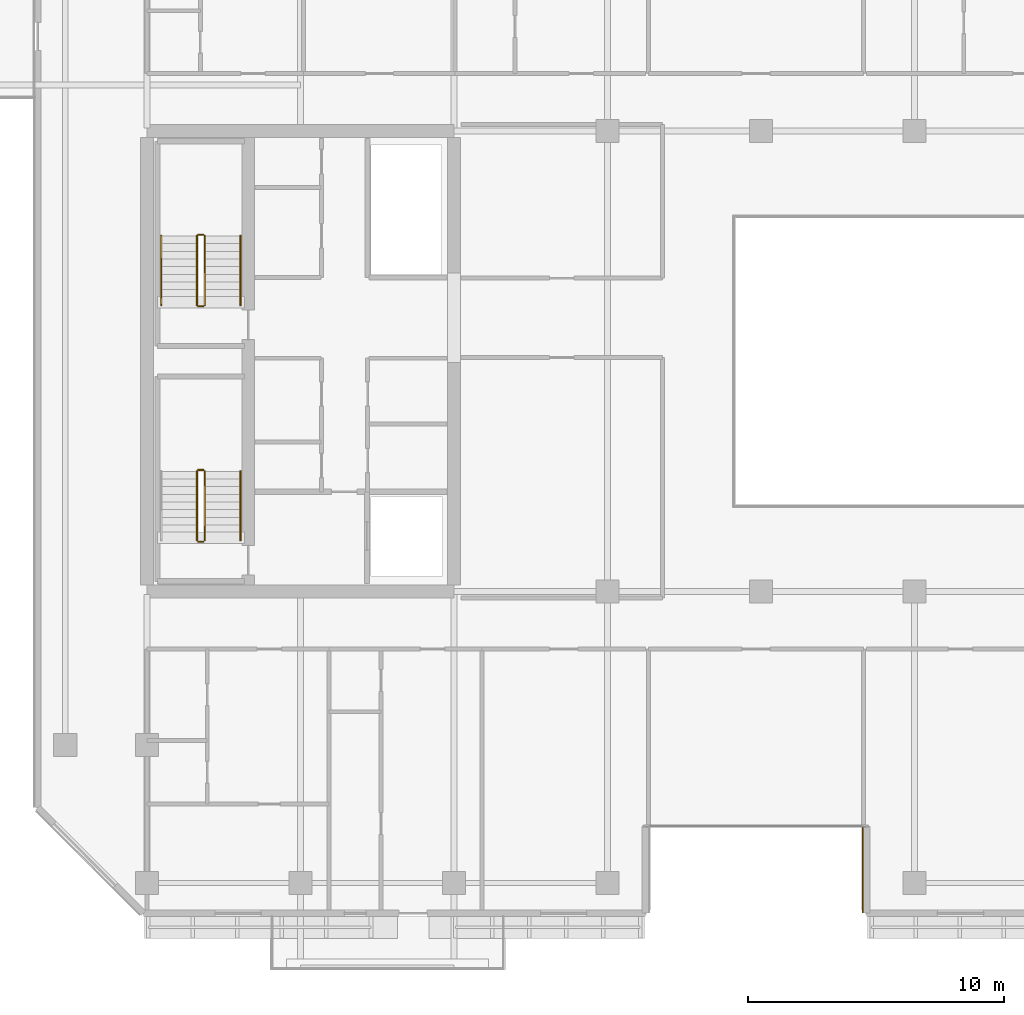
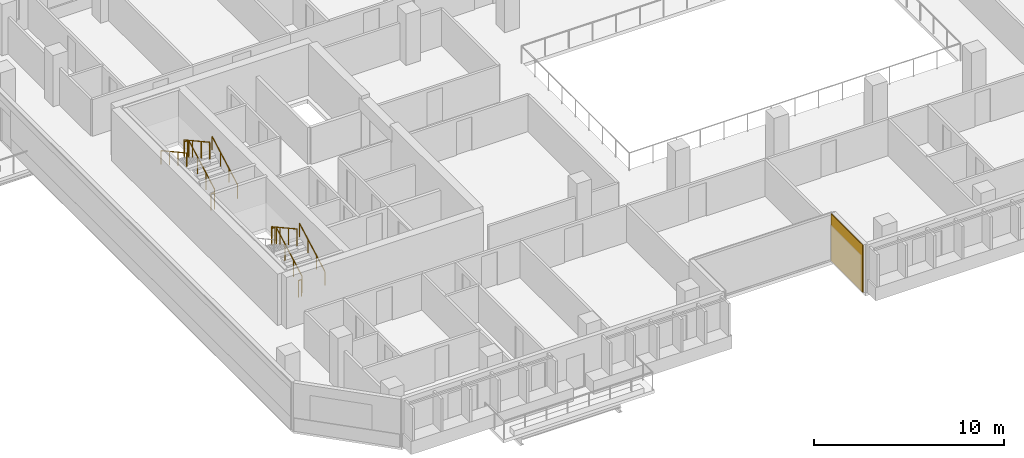
# One storey, part 17 of 21: 11 railings, 1 covering.
"""IFC4 building model written with IfcOpenShell, lengths in metres."""

import ifcopenshell
import ifcopenshell.guid

model = None  # the IFC model being written
_history = None  # IfcOwnerHistory: only IFC2X3 demands one
_inside = {}  # id of a spatial element -> (the spatial element, [elements in it])
_under = {}  # id of a project, library or spatial element -> (it, [spatial elements below it])
_declared = {}  # id of a project -> (the project, [libraries it declares])
_typed = {}  # id of a type object -> (the type object, [elements of that type])
_made_of = {}  # id of a material, layer set ... -> (it, [elements and type objects made of it])


def new_model(schema):
    """Start an empty IFC model of exactly this schema.

    Asked for "IFC4X3", IfcOpenShell would pick the latest addendum, in which some entities
    have other attributes; the version numbers below select the first issue.
    IFC2X3 requires an IfcOwnerHistory on every rooted entity: one is made here for all.
    """
    global model, _history
    if schema == "IFC4X3":
        model = ifcopenshell.file(schema_version=(4, 3, 0, 0))
    else:
        model = ifcopenshell.file(schema=schema)
    _inside.clear()
    _under.clear()
    _declared.clear()
    _typed.clear()
    _made_of.clear()
    _history = None
    if model.schema == "IFC2X3":
        org = make("IfcOrganization", Name="unknown")
        user = make(
            "IfcPersonAndOrganization",
            ThePerson=make("IfcPerson", FamilyName="unknown"),
            TheOrganization=org,
        )
        app = make(
            "IfcApplication",
            ApplicationDeveloper=org,
            Version="unknown",
            ApplicationFullName="unknown",
            ApplicationIdentifier="unknown",
        )
        _history = make(
            "IfcOwnerHistory",
            OwningUser=user,
            OwningApplication=app,
            ChangeAction="ADDED",
            CreationDate=0,
        )
    return model


def make(cls, **values):
    """One entity of the class cls with the attributes given. An attribute that is None is left unset."""
    return model.create_entity(
        cls, **{name: value for name, value in values.items() if value is not None}
    )


def rooted(cls, **values):
    """An entity with a GlobalId (a new one), such as an element, a storey or a relation."""
    return make(cls, GlobalId=ifcopenshell.guid.new(), OwnerHistory=_history, **values)


def si_unit(unit_type, name, prefix=None):
    """IfcSIUnit, for example si_unit("LENGTHUNIT", "METRE", prefix="MILLI")."""
    return make("IfcSIUnit", UnitType=unit_type, Prefix=prefix, Name=name)


def assignment(units):
    """IfcUnitAssignment: the units of a project."""
    return None if units is None else make("IfcUnitAssignment", Units=units)


def point(xyz):
    """IfcCartesianPoint."""
    return None if xyz is None else make("IfcCartesianPoint", Coordinates=xyz)


def direction(xyz):
    """IfcDirection."""
    return None if xyz is None else make("IfcDirection", DirectionRatios=xyz)


def frame(location, z_axis=None, x_axis=None):
    """IfcAxis2Placement3D, a coordinate frame: its origin and axes. An axis left out is left unset."""
    return make(
        "IfcAxis2Placement3D",
        Location=point(location),
        Axis=direction(z_axis),
        RefDirection=direction(x_axis),
    )


def frame_2d(location, x_axis=None):
    """IfcAxis2Placement2D, a coordinate frame in the plane: its origin and x axis."""
    return make(
        "IfcAxis2Placement2D", Location=point(location), RefDirection=direction(x_axis)
    )


def origin():
    """The frame at (0, 0, 0) with its axes left unset."""
    return frame((0.0, 0.0, 0.0))


def origin_2d():
    """The frame at (0, 0) in the plane with its x axis left unset."""
    return frame_2d((0.0, 0.0))


def place(relative_to, where):
    """IfcLocalPlacement: puts the frame where relative to a parent placement (None: the world)."""
    return make(
        "IfcLocalPlacement", PlacementRelTo=relative_to, RelativePlacement=where
    )


def context(
    kind, dimensions, precision=None, world=None, true_north=None, identifier=None
):
    """IfcGeometricRepresentationContext, for example the 3D "Model" context."""
    return make(
        "IfcGeometricRepresentationContext",
        ContextIdentifier=identifier,
        ContextType=kind,
        CoordinateSpaceDimension=dimensions,
        Precision=precision,
        WorldCoordinateSystem=world,
        TrueNorth=true_north,
    )


def subcontext(parent, identifier, kind, view, scale=None):
    """IfcGeometricRepresentationSubContext, for example "Body" below "Model"."""
    return make(
        "IfcGeometricRepresentationSubContext",
        ContextIdentifier=identifier,
        ContextType=kind,
        ParentContext=parent,
        TargetScale=scale,
        TargetView=view,
    )


def project(units=None, contexts=None):
    """IfcProject with its units and contexts."""
    return rooted(
        "IfcProject",
        Name="project",
        RepresentationContexts=contexts,
        UnitsInContext=assignment(units),
    )


def spatial(cls, under=None, at=None, **own):
    """A site, building, storey or space (cls), placed at a placement, below another one or the project."""
    s = rooted(cls, ObjectPlacement=at, **own)
    if under is not None:
        _under.setdefault(under.id(), (under, []))[1].append(s)
    return s


def profile(cls, at=None, kind="AREA", **sizes):
    """A parametric profile (cls). Its sizes go by their IFC names, for example OverallWidth=200.0."""
    return make(cls, ProfileType=kind, Position=at, **sizes)


def rectangle(**sizes):
    """IfcRectangleProfileDef."""
    return profile("IfcRectangleProfileDef", **sizes)


def extrude(swept, where, along, depth):
    """IfcExtrudedAreaSolid: the profile swept, set in the frame where, extruded along a direction by depth."""
    return make(
        "IfcExtrudedAreaSolid",
        SweptArea=swept,
        Position=where,
        ExtrudedDirection=direction(along),
        Depth=depth,
    )


def shape(context_of_items, identifier, shape_type, items):
    """IfcShapeRepresentation: the items that make up one representation, for example the "Body"."""
    return make(
        "IfcShapeRepresentation",
        ContextOfItems=context_of_items,
        RepresentationIdentifier=identifier,
        RepresentationType=shape_type,
        Items=items,
    )


def material(Name=None, Category=None):
    """IfcMaterial."""
    return make("IfcMaterial", Name=Name, Category=Category)


def layer(
    of_material, thickness, ventilated=None, Name=None, Category=None, Priority=None
):
    """IfcMaterialLayer: one layer of a wall or slab, of a material (None: an air gap)."""
    return make(
        "IfcMaterialLayer",
        Material=of_material,
        LayerThickness=thickness,
        IsVentilated=ventilated,
        Name=Name,
        Category=Category,
        Priority=Priority,
    )


def layer_set(layers, Name=None):
    """IfcMaterialLayerSet."""
    return make("IfcMaterialLayerSet", MaterialLayers=layers, LayerSetName=Name)


def made_of(thing, what):
    """Note that an element or type object is made of a material, layer set ...; save() writes the relation."""
    if what is not None:
        _made_of.setdefault(what.id(), (what, []))[1].append(thing)
    return thing


def type_object(cls, material=None, **own):
    """A type object (cls), such as IfcWallType, which elements share."""
    return made_of(rooted(cls, **own), material)


def element(
    cls,
    number,
    at=None,
    inside=None,
    cuts=None,
    type_object=None,
    material=None,
    context=None,
    identifier="Body",
    shape_type=None,
    held_by="IfcProductDefinitionShape",
    body=None,
    shapes=None,
    **own,
):
    """One element of the class cls, such as IfcWall. Its Tag is "e" and its number.

    at: its placement. inside: the storey or other place that contains it. cuts: it is an
    opening in that element (IfcRelVoidsElement). A single representation is given by context,
    identifier, shape_type and body (its items); several are given by shapes. held_by: the class
    of the entity that holds the representations. save() writes the other relations.
    """
    e = rooted(cls, Tag="e%d" % number, ObjectPlacement=at, **own)
    if body is not None:
        shapes = [shape(context, identifier, shape_type, body)]
    if shapes is not None:
        e.Representation = make(held_by, Representations=shapes)
    if inside is not None:
        _inside.setdefault(inside.id(), (inside, []))[1].append(e)
    if cuts is not None:
        rooted(
            "IfcRelVoidsElement", RelatingBuildingElement=cuts, RelatedOpeningElement=e
        )
    if type_object is not None:
        _typed.setdefault(type_object.id(), (type_object, []))[1].append(e)
    return made_of(e, material)


def aggregate(whole, parts):
    """IfcRelAggregates: a whole, such as a stair, and the parts it consists of."""
    return rooted("IfcRelAggregates", RelatingObject=whole, RelatedObjects=parts)


def save(model, path):
    """Write the relations noted so far, then the file.

    IfcRelAggregates (storeys below a building ...), IfcRelContainedInSpatialStructure (elements
    in a storey), IfcRelDefinesByType, IfcRelAssociatesMaterial and IfcRelDeclares: one each for
    every whole, place, type object, material and project.
    """
    for whole, parts in _under.values():
        aggregate(whole, parts)
    for where, things in _inside.values():
        rooted(
            "IfcRelContainedInSpatialStructure",
            RelatedElements=things,
            RelatingStructure=where,
        )
    for kind, things in _typed.values():
        rooted("IfcRelDefinesByType", RelatedObjects=things, RelatingType=kind)
    for what, things in _made_of.values():
        rooted("IfcRelAssociatesMaterial", RelatedObjects=things, RelatingMaterial=what)
    for by, libraries in _declared.values():
        rooted("IfcRelDeclares", RelatingContext=by, RelatedDefinitions=libraries)
    model.write(path)


model = new_model("IFC4")

# Units and contexts
model_context = context("Model", 3, precision=1e-05, world=origin(), true_north=direction((0.0, 1.0)))
body_context = subcontext(model_context, "Body", "Model", "MODEL_VIEW")
ifc_project = project(units=[si_unit("LENGTHUNIT", "METRE"), si_unit("AREAUNIT", "SQUARE_METRE"), si_unit("VOLUMEUNIT", "CUBIC_METRE"), si_unit("PLANEANGLEUNIT", "RADIAN"), si_unit("MASSUNIT", "GRAM", prefix="KILO")], contexts=[model_context])

# Site, building, storey
site_placement = place(None, origin())
site = spatial("IfcSite", under=ifc_project, at=site_placement, CompositionType="ELEMENT")
building_placement = place(site_placement, origin())
building = spatial("IfcBuilding", under=site, at=building_placement, Name="Tanjung Sevakor Pilgrim Tower", CompositionType="ELEMENT")
storey_placement = place(building_placement, frame((0.0, 0.0, 145.199951171875)))
storey = spatial("IfcBuildingStorey", under=building, at=storey_placement, Name="L40", CompositionType="ELEMENT", Elevation=145.199951171875)

# Covering
ifc_material_1 = material(Name="Reconstructed Limestone Cladding", Category="masonry")
ifc_layer = layer(ifc_material_1, 0.044921875)
ifc_layer_set = layer_set([ifc_layer], Name="COV-CLAD-LIMESTONE")
covering_type = type_object("IfcCoveringType", Name="COV-CLAD-LIMESTONE", PredefinedType="CLADDING", material=ifc_layer_set)
covering_placement = place(storey_placement, frame((51.9775390625, 13.72509765625, 0.02001953125), z_axis=(0.0, 0.0, 1.0), x_axis=(0.0, -1.0, 0.0)))
element("IfcCovering", 1, at=covering_placement, inside=storey, type_object=covering_type, Name="L40 Warm Limestone Wall Cladding EW-L40-MAIN-4", PredefinedType="CLADDING", context=body_context, shape_type="SweptSolid", body=[
    extrude(rectangle(XDim=3.360107421875, YDim=0.044921875, at=origin_2d()), origin(), (0.0, 0.0, 1.0), 3.0400390625),
])

# Railings
ifc_material_2 = material(Name="Steel S355J2", Category="steel")
railing_type_1 = type_object("IfcRailingType", Name="RL-STAIR-GUARD", PredefinedType="GUARDRAIL", material=ifc_material_2)
railing_1_placement = place(storey_placement, frame((26.25, 26.60009765625, 0.1650390625)))
element("IfcRailing", 2, at=railing_1_placement, inside=storey, type_object=railing_type_1, Name="L40 TS-W1 stair guard 1", PredefinedType="GUARDRAIL", context=body_context, shape_type="SweptSolid", body=[
    extrude(rectangle(XDim=0.0479, YDim=0.0479), frame((0.0, 0.0, 1.076171875), z_axis=(0.0, 0.876197507361, 0.481952205197), x_axis=(-1.0, 0.0, 0.0)), (0.0, 0.0, 1.0), 3.08154296875),
    extrude(rectangle(XDim=0.042, YDim=0.042), origin(), (0.0, 0.0, 1.0), 1.052001953125),
    extrude(rectangle(XDim=0.042, YDim=0.042), frame((0.0, 0.89990234375, 0.4951171875)), (0.0, 0.0, 1.0), 1.052001953125),
    extrude(rectangle(XDim=0.042, YDim=0.042), frame((0.0, 1.800048828125, 0.989990234375)), (0.0, 0.0, 1.0), 1.052001953125),
    extrude(rectangle(XDim=0.042, YDim=0.042), frame((0.0, 2.699951171875, 1.485107421875)), (0.0, 0.0, 1.0), 1.052001953125),
])
railing_2_placement = place(storey_placement, frame((26.199951171875, 29.35009765625, 1.650146484375)))
element("IfcRailing", 3, at=railing_2_placement, inside=storey, type_object=railing_type_1, Name="L40 TS-W1 stair guard 2", PredefinedType="GUARDRAIL", context=body_context, shape_type="SweptSolid", body=[
    extrude(rectangle(XDim=0.0479, YDim=0.0479), frame((0.0, 0.0, 1.076171875), z_axis=(-1.0, 0.0, 0.0), x_axis=(0.0, -1.0, 0.0)), (0.0, 0.0, 1.0), 0.199951171875),
    extrude(rectangle(XDim=0.042, YDim=0.042), origin(), (0.0, 0.0, 1.0), 1.052001953125),
    extrude(rectangle(XDim=0.042, YDim=0.042), frame((-0.199951171875, 0.0, 0.0)), (0.0, 0.0, 1.0), 1.052001953125),
])
railing_3_placement = place(storey_placement, frame((25.949951171875, 29.300048828125, 1.81494140625)))
element("IfcRailing", 4, at=railing_3_placement, inside=storey, type_object=railing_type_1, Name="L40 TS-W1 stair guard 3", PredefinedType="GUARDRAIL", context=body_context, shape_type="SweptSolid", body=[
    extrude(rectangle(XDim=0.0479, YDim=0.0479), frame((0.0, 0.0, 1.076171875), z_axis=(0.0, -0.876197507361, 0.481952205197), x_axis=(1.0, 0.0, 0.0)), (0.0, 0.0, 1.0), 3.08154296875),
    extrude(rectangle(XDim=0.042, YDim=0.042), origin(), (0.0, 0.0, 1.0), 1.052001953125),
    extrude(rectangle(XDim=0.042, YDim=0.042), frame((0.0, -0.89990234375, 0.4951171875)), (0.0, 0.0, 1.0), 1.052001953125),
    extrude(rectangle(XDim=0.042, YDim=0.042), frame((0.0, -1.800048828125, 0.989990234375)), (0.0, 0.0, 1.0), 1.052001953125),
    extrude(rectangle(XDim=0.042, YDim=0.042), frame((0.0, -2.699951171875, 1.485107421875)), (0.0, 0.0, 1.0), 1.052001953125),
])
railing_4_placement = place(storey_placement, frame((26.199951171875, 26.550048828125, 0.0)))
element("IfcRailing", 5, at=railing_4_placement, inside=storey, type_object=railing_type_1, Name="L40 TS-W1 stair guard 4", PredefinedType="GUARDRAIL", context=body_context, shape_type="SweptSolid", body=[
    extrude(rectangle(XDim=0.0479, YDim=0.0479), frame((0.0, 0.0, 1.076171875), z_axis=(-1.0, 0.0, 0.0), x_axis=(0.0, -1.0, 0.0)), (0.0, 0.0, 1.0), 0.199951171875),
    extrude(rectangle(XDim=0.042, YDim=0.042), origin(), (0.0, 0.0, 1.0), 1.052001953125),
    extrude(rectangle(XDim=0.042, YDim=0.042), frame((-0.199951171875, 0.0, 0.0)), (0.0, 0.0, 1.0), 1.052001953125),
])
railing_5_placement = place(storey_placement, frame((26.25, 35.800048828125, 0.1650390625)))
element("IfcRailing", 6, at=railing_5_placement, inside=storey, type_object=railing_type_1, Name="L40 TS-W2 stair guard 1", PredefinedType="GUARDRAIL", context=body_context, shape_type="SweptSolid", body=[
    extrude(rectangle(XDim=0.0479, YDim=0.0479), frame((0.0, 0.0, 1.076171875), z_axis=(0.0, 0.876197507361, 0.481952205197), x_axis=(-1.0, 0.0, 0.0)), (0.0, 0.0, 1.0), 3.08154296875),
    extrude(rectangle(XDim=0.042, YDim=0.042), origin(), (0.0, 0.0, 1.0), 1.052001953125),
    extrude(rectangle(XDim=0.042, YDim=0.042), frame((0.0, 0.89990234375, 0.4951171875)), (0.0, 0.0, 1.0), 1.052001953125),
    extrude(rectangle(XDim=0.042, YDim=0.042), frame((0.0, 1.800048828125, 0.989990234375)), (0.0, 0.0, 1.0), 1.052001953125),
    extrude(rectangle(XDim=0.042, YDim=0.042), frame((0.0, 2.699951171875, 1.485107421875)), (0.0, 0.0, 1.0), 1.052001953125),
])
railing_6_placement = place(storey_placement, frame((26.199951171875, 38.550048828125, 1.650146484375)))
element("IfcRailing", 7, at=railing_6_placement, inside=storey, type_object=railing_type_1, Name="L40 TS-W2 stair guard 2", PredefinedType="GUARDRAIL", context=body_context, shape_type="SweptSolid", body=[
    extrude(rectangle(XDim=0.0479, YDim=0.0479), frame((0.0, 0.0, 1.076171875), z_axis=(-1.0, 0.0, 0.0), x_axis=(0.0, -1.0, 0.0)), (0.0, 0.0, 1.0), 0.199951171875),
    extrude(rectangle(XDim=0.042, YDim=0.042), origin(), (0.0, 0.0, 1.0), 1.052001953125),
    extrude(rectangle(XDim=0.042, YDim=0.042), frame((-0.199951171875, 0.0, 0.0)), (0.0, 0.0, 1.0), 1.052001953125),
])
railing_7_placement = place(storey_placement, frame((25.949951171875, 38.5, 1.81494140625)))
element("IfcRailing", 8, at=railing_7_placement, inside=storey, type_object=railing_type_1, Name="L40 TS-W2 stair guard 3", PredefinedType="GUARDRAIL", context=body_context, shape_type="SweptSolid", body=[
    extrude(rectangle(XDim=0.0479, YDim=0.0479), frame((0.0, 0.0, 1.076171875), z_axis=(0.0, -0.876197507361, 0.481952205197), x_axis=(1.0, 0.0, 0.0)), (0.0, 0.0, 1.0), 3.08154296875),
    extrude(rectangle(XDim=0.042, YDim=0.042), origin(), (0.0, 0.0, 1.0), 1.052001953125),
    extrude(rectangle(XDim=0.042, YDim=0.042), frame((0.0, -0.89990234375, 0.4951171875)), (0.0, 0.0, 1.0), 1.052001953125),
    extrude(rectangle(XDim=0.042, YDim=0.042), frame((0.0, -1.800048828125, 0.989990234375)), (0.0, 0.0, 1.0), 1.052001953125),
    extrude(rectangle(XDim=0.042, YDim=0.042), frame((0.0, -2.699951171875, 1.485107421875)), (0.0, 0.0, 1.0), 1.052001953125),
])
railing_8_placement = place(storey_placement, frame((26.199951171875, 35.75, 0.0)))
element("IfcRailing", 9, at=railing_8_placement, inside=storey, type_object=railing_type_1, Name="L40 TS-W2 stair guard 4", PredefinedType="GUARDRAIL", context=body_context, shape_type="SweptSolid", body=[
    extrude(rectangle(XDim=0.0479, YDim=0.0479), frame((0.0, 0.0, 1.076171875), z_axis=(-1.0, 0.0, 0.0), x_axis=(0.0, -1.0, 0.0)), (0.0, 0.0, 1.0), 0.199951171875),
    extrude(rectangle(XDim=0.042, YDim=0.042), origin(), (0.0, 0.0, 1.0), 1.052001953125),
    extrude(rectangle(XDim=0.042, YDim=0.042), frame((-0.199951171875, 0.0, 0.0)), (0.0, 0.0, 1.0), 1.052001953125),
])
ifc_material_3 = material(Name="Steel S355J2", Category="steel")
railing_type_2 = type_object("IfcRailingType", Name="RL-STAIR-HAND", PredefinedType="HANDRAIL", material=ifc_material_3)
for number, where, name in (
    (10, (27.64990234375, 26.60009765625, 0.1650390625), "L40 TS-W1 stair handrail 1"),
    (11, (27.64990234375, 35.800048828125, 0.1650390625), "L40 TS-W2 stair handrail 1"),
):
    element("IfcRailing", number, at=place(storey_placement, frame(where)), inside=storey, type_object=railing_type_2, Name=name, PredefinedType="HANDRAIL", context=body_context, shape_type="SweptSolid", body=[
        extrude(rectangle(XDim=0.0479, YDim=0.0479), frame((0.0, 0.0, 0.8759765625), z_axis=(0.0, 0.876197507361, 0.481952205197), x_axis=(-1.0, 0.0, 0.0)), (0.0, 0.0, 1.0), 3.08154296875),
        extrude(rectangle(XDim=0.042, YDim=0.042), origin(), (0.0, 0.0, 1.0), 0.851806640625),
        extrude(rectangle(XDim=0.042, YDim=0.042), frame((0.0, 0.89990234375, 0.4951171875)), (0.0, 0.0, 1.0), 0.851806640625),
        extrude(rectangle(XDim=0.042, YDim=0.042), frame((0.0, 1.800048828125, 0.989990234375)), (0.0, 0.0, 1.0), 0.851806640625),
        extrude(rectangle(XDim=0.042, YDim=0.042), frame((0.0, 2.699951171875, 1.485107421875)), (0.0, 0.0, 1.0), 0.851806640625),
    ])
railing_9_placement = place(storey_placement, frame((24.550048828125, 38.5, 1.81494140625)))
element("IfcRailing", 12, at=railing_9_placement, inside=storey, type_object=railing_type_2, Name="L40 TS-W2 stair handrail 2", PredefinedType="HANDRAIL", context=body_context, shape_type="SweptSolid", body=[
    extrude(rectangle(XDim=0.0479, YDim=0.0479), frame((0.0, 0.0, 0.8759765625), z_axis=(0.0, -0.876197507361, 0.481952205197), x_axis=(1.0, 0.0, 0.0)), (0.0, 0.0, 1.0), 3.08154296875),
    extrude(rectangle(XDim=0.042, YDim=0.042), origin(), (0.0, 0.0, 1.0), 0.851806640625),
    extrude(rectangle(XDim=0.042, YDim=0.042), frame((0.0, -0.89990234375, 0.4951171875)), (0.0, 0.0, 1.0), 0.851806640625),
    extrude(rectangle(XDim=0.042, YDim=0.042), frame((0.0, -1.800048828125, 0.989990234375)), (0.0, 0.0, 1.0), 0.851806640625),
    extrude(rectangle(XDim=0.042, YDim=0.042), frame((0.0, -2.699951171875, 1.485107421875)), (0.0, 0.0, 1.0), 0.851806640625),
])

save(model, "model.ifc")
